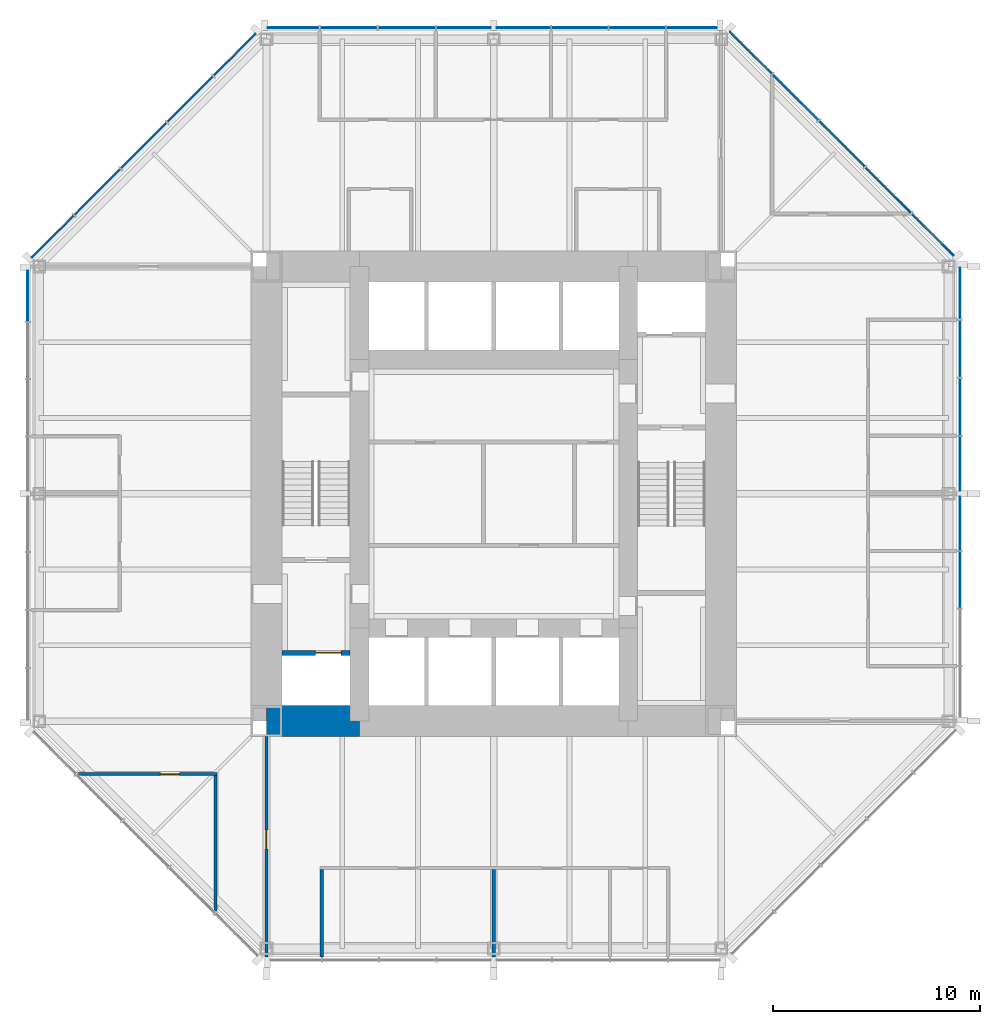
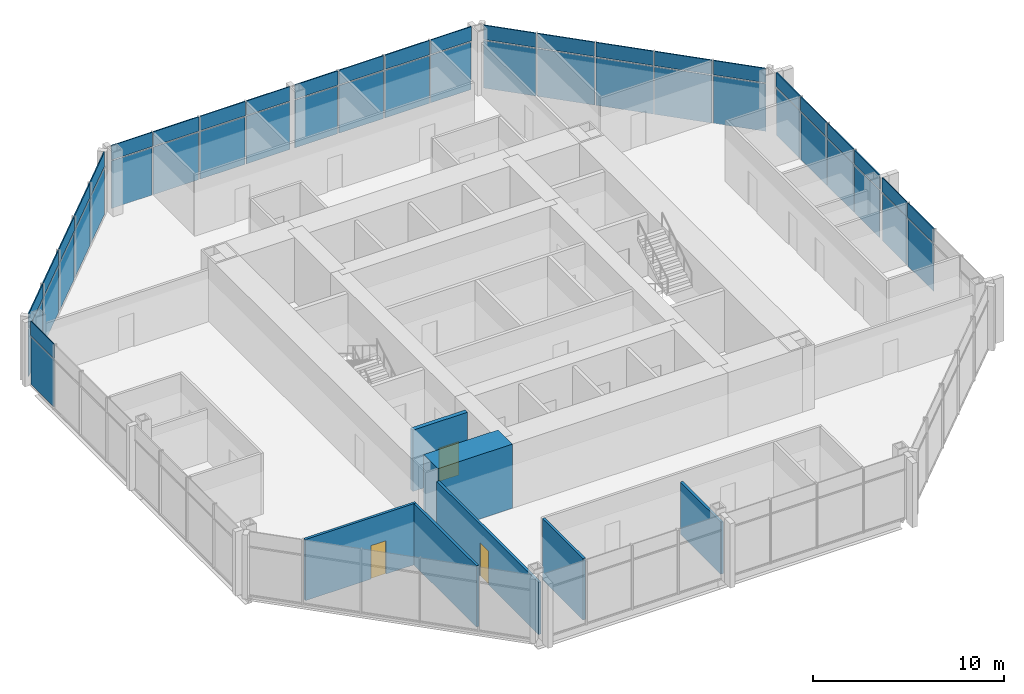
# One storey, part 8 of 12: 50 plates, 7 walls, 3 doors, 3 openings, 5 elements without a shape of their own.
"""IFC4 building model written with IfcOpenShell, lengths in metres."""

from ifc_helpers import new_model, si_unit, direction, frame, frame_2d, origin, origin_2d, place, context, subcontext, project, spatial, rectangle, extrude, material, layer, layer_set, type_object, element, fill, aggregate, save


model = new_model("IFC4")

# Units and contexts
model_context = context("Model", 3, precision=1e-05, world=origin(), true_north=direction((0.0, 1.0)))
body_context = subcontext(model_context, "Body", "Model", "MODEL_VIEW")
ifc_project = project(units=[si_unit("LENGTHUNIT", "METRE"), si_unit("AREAUNIT", "SQUARE_METRE"), si_unit("VOLUMEUNIT", "CUBIC_METRE"), si_unit("PLANEANGLEUNIT", "RADIAN"), si_unit("MASSUNIT", "GRAM", prefix="KILO")], contexts=[model_context])

# Site, building, storey
site_placement = place(None, origin())
site = spatial("IfcSite", under=ifc_project, at=site_placement, CompositionType="ELEMENT")
building_placement = place(site_placement, origin())
building = spatial("IfcBuilding", under=site, at=building_placement, Name="Trevanion Tower", CompositionType="ELEMENT")
storey_placement = place(building_placement, frame((0.0, 0.0, 158.199951171875)))
storey = spatial("IfcBuildingStorey", under=building, at=storey_placement, Name="L37", CompositionType="ELEMENT", Elevation=158.199951171875)

# Curtain wall, plates
ifc_material_1 = material(Name="Aluminium and glass", Category="aluminium")
curtain_wall_type = type_object("IfcCurtainWallType", Name="CW2 curtain wall", PredefinedType="USERDEFINED", material=ifc_material_1)
curtain_wall_1_placement = place(storey_placement, origin())
curtain_wall_1 = element("IfcCurtainWall", 1, at=curtain_wall_1_placement, inside=storey, type_object=curtain_wall_type, Name="CW2 L37 0", ObjectType="UNITISED CURTAIN WALL", PredefinedType="USERDEFINED")
ifc_material_2 = material(Name="Aluminium spandrel panel", Category="aluminium")
ifc_layer_1 = layer(ifc_material_2, 0.06005859375)
ifc_layer_set_1 = layer_set([ifc_layer_1], Name="CW2 spandrel panel")
plate_type_1 = type_object("IfcPlateType", Name="CW2 spandrel panel", PredefinedType="CURTAIN_PANEL", material=ifc_layer_set_1)
plate_1_placement = place(storey_placement, frame((22.550048828125, -4.16162109375, 2.99755859375), z_axis=(0.0, 0.0, 1.0), x_axis=(0.0, 1.0, 0.0)))
plate_1 = element("IfcPlate", 2, at=plate_1_placement, type_object=plate_type_1, Name="CW2 panel 3.2", PredefinedType="CURTAIN_PANEL", context=body_context, shape_type="SweptSolid", body=[
    extrude(rectangle(XDim=2.699462890625, YDim=0.06005859375, at=origin_2d()), origin(), (0.0, 0.0, 1.0), 0.91259765625),
])
plate_2_placement = place(storey_placement, frame((22.550048828125, -1.443603515625, 2.99755859375), z_axis=(0.0, 0.0, 1.0), x_axis=(0.0, 1.0, 0.0)))
plate_2 = element("IfcPlate", 3, at=plate_2_placement, type_object=plate_type_1, Name="CW2 panel 4.2", PredefinedType="CURTAIN_PANEL", context=body_context, shape_type="SweptSolid", body=[
    extrude(rectangle(XDim=2.5869140625, YDim=0.06005859375, at=origin_2d()), origin(), (0.0, 0.0, 1.0), 0.91259765625),
])
plate_3_placement = place(storey_placement, frame((22.550048828125, 1.459716796875, 2.99755859375), z_axis=(0.0, 0.0, 1.0), x_axis=(0.0, 1.0, 0.0)))
plate_3 = element("IfcPlate", 4, at=plate_3_placement, type_object=plate_type_1, Name="CW2 panel 5.2", PredefinedType="CURTAIN_PANEL", context=body_context, shape_type="SweptSolid", body=[
    extrude(rectangle(XDim=2.619384765625, YDim=0.06005859375, at=origin_2d()), origin(), (0.0, 0.0, 1.0), 0.91259765625),
])
plate_4_placement = place(storey_placement, frame((22.550048828125, 4.21044921875, 2.99755859375), z_axis=(0.0, 0.0, 1.0), x_axis=(0.0, 1.0, 0.0)))
plate_4 = element("IfcPlate", 5, at=plate_4_placement, type_object=plate_type_1, Name="CW2 panel 6.2", PredefinedType="CURTAIN_PANEL", context=body_context, shape_type="SweptSolid", body=[
    extrude(rectangle(XDim=2.73193359375, YDim=0.06005859375, at=origin_2d()), origin(), (0.0, 0.0, 1.0), 0.91259765625),
])
plate_5_placement = place(storey_placement, frame((22.550048828125, 7.017333984375, 2.99755859375), z_axis=(0.0, 0.0, 1.0), x_axis=(0.0, 1.0, 0.0)))
plate_5 = element("IfcPlate", 6, at=plate_5_placement, type_object=plate_type_1, Name="CW2 panel 7.2", PredefinedType="CURTAIN_PANEL", context=body_context, shape_type="SweptSolid", body=[
    extrude(rectangle(XDim=2.73193359375, YDim=0.06005859375, at=origin_2d()), origin(), (0.0, 0.0, 1.0), 0.91259765625),
])
plate_6_placement = place(storey_placement, frame((22.550048828125, 9.693115234375, 2.99755859375), z_axis=(0.0, 0.0, 1.0), x_axis=(0.0, 1.0, 0.0)))
plate_6 = element("IfcPlate", 7, at=plate_6_placement, type_object=plate_type_1, Name="CW2 panel 8.2", PredefinedType="CURTAIN_PANEL", context=body_context, shape_type="SweptSolid", body=[
    extrude(rectangle(XDim=2.469482421875, YDim=0.06005859375, at=origin_2d()), origin(), (0.0, 0.0, 1.0), 0.91259765625),
])

curtain_wall_2_placement = place(storey_placement, origin())
curtain_wall_2 = element("IfcCurtainWall", 8, at=curtain_wall_2_placement, inside=storey, type_object=curtain_wall_type, Name="CW2 L37 1", ObjectType="UNITISED CURTAIN WALL", PredefinedType="USERDEFINED")
plate_7_placement = place(storey_placement, frame((21.2421875, 12.53564453125, 2.99755859375), z_axis=(0.0, 0.0, 1.0), x_axis=(-0.707106781187, 0.707106781187, 0.0)))
plate_7 = element("IfcPlate", 9, at=plate_7_placement, type_object=plate_type_1, Name="CW2 panel 1.2", PredefinedType="CURTAIN_PANEL", context=body_context, shape_type="SweptSolid", body=[
    extrude(rectangle(XDim=2.8388671875, YDim=0.06005859375, at=origin_2d()), origin(), (0.0, 0.0, 1.0), 0.91259765625),
])
plate_8_placement = place(storey_placement, frame((19.089111328125, 14.688720703125, 2.99755859375), z_axis=(0.0, 0.0, 1.0), x_axis=(-0.707106781187, 0.707106781187, 0.0)))
plate_8 = element("IfcPlate", 10, at=plate_8_placement, type_object=plate_type_1, Name="CW2 panel 2.2", PredefinedType="CURTAIN_PANEL", context=body_context, shape_type="SweptSolid", body=[
    extrude(rectangle(XDim=3.101318359375, YDim=0.06005859375, at=origin_2d()), origin(), (0.0, 0.0, 1.0), 0.91259765625),
])
plate_9_placement = place(storey_placement, frame((16.843017578125, 16.934814453125, 2.99755859375), z_axis=(0.0, 0.0, 1.0), x_axis=(-0.707106781187, 0.707106781187, 0.0)))
plate_9 = element("IfcPlate", 11, at=plate_9_placement, type_object=plate_type_1, Name="CW2 panel 3.2", PredefinedType="CURTAIN_PANEL", context=body_context, shape_type="SweptSolid", body=[
    extrude(rectangle(XDim=3.101318359375, YDim=0.06005859375, at=origin_2d()), origin(), (0.0, 0.0, 1.0), 0.91259765625),
])
plate_10_placement = place(storey_placement, frame((14.596923828125, 19.180908203125, 2.99755859375), z_axis=(0.0, 0.0, 1.0), x_axis=(-0.707106781187, 0.707106781187, 0.0)))
plate_10 = element("IfcPlate", 12, at=plate_10_placement, type_object=plate_type_1, Name="CW2 panel 4.2", PredefinedType="CURTAIN_PANEL", context=body_context, shape_type="SweptSolid", body=[
    extrude(rectangle(XDim=3.101318359375, YDim=0.06005859375, at=origin_2d()), origin(), (0.0, 0.0, 1.0), 0.91259765625),
])
plate_11_placement = place(storey_placement, frame((12.443603515625, 21.334228515625, 2.99755859375), z_axis=(0.0, 0.0, 1.0), x_axis=(-0.707106781187, 0.707106781187, 0.0)))
plate_11 = element("IfcPlate", 13, at=plate_11_placement, type_object=plate_type_1, Name="CW2 panel 5.2", PredefinedType="CURTAIN_PANEL", context=body_context, shape_type="SweptSolid", body=[
    extrude(rectangle(XDim=2.8388671875, YDim=0.06005859375, at=origin_2d()), origin(), (0.0, 0.0, 1.0), 0.91259765625),
])

curtain_wall_3_placement = place(storey_placement, origin())
curtain_wall_3 = element("IfcCurtainWall", 14, at=curtain_wall_3_placement, inside=storey, type_object=curtain_wall_type, Name="CW2 L37 2", ObjectType="UNITISED CURTAIN WALL", PredefinedType="USERDEFINED")
plate_12_placement = place(storey_placement, frame((9.579345703125, 22.550048828125, 2.99755859375), z_axis=(0.0, 0.0, 1.0), x_axis=(-1.0, 0.0, 0.0)))
plate_12 = element("IfcPlate", 15, at=plate_12_placement, type_object=plate_type_1, Name="CW2 panel 1.2", PredefinedType="CURTAIN_PANEL", context=body_context, shape_type="SweptSolid", body=[
    extrude(rectangle(XDim=2.43701171875, YDim=0.06005859375, at=origin_2d()), origin(), (0.0, 0.0, 1.0), 0.91259765625),
])
plate_13_placement = place(storey_placement, frame((6.93603515625, 22.550048828125, 2.99755859375), z_axis=(0.0, 0.0, 1.0), x_axis=(-1.0, 0.0, 0.0)))
plate_13 = element("IfcPlate", 16, at=plate_13_placement, type_object=plate_type_1, Name="CW2 panel 2.2", PredefinedType="CURTAIN_PANEL", context=body_context, shape_type="SweptSolid", body=[
    extrude(rectangle(XDim=2.699462890625, YDim=0.06005859375, at=origin_2d()), origin(), (0.0, 0.0, 1.0), 0.91259765625),
])
plate_14_placement = place(storey_placement, frame((4.16162109375, 22.550048828125, 2.99755859375), z_axis=(0.0, 0.0, 1.0), x_axis=(-1.0, 0.0, 0.0)))
plate_14 = element("IfcPlate", 17, at=plate_14_placement, type_object=plate_type_1, Name="CW2 panel 3.2", PredefinedType="CURTAIN_PANEL", context=body_context, shape_type="SweptSolid", body=[
    extrude(rectangle(XDim=2.699462890625, YDim=0.06005859375, at=origin_2d()), origin(), (0.0, 0.0, 1.0), 0.91259765625),
])
plate_15_placement = place(storey_placement, frame((1.443603515625, 22.550048828125, 2.99755859375), z_axis=(0.0, 0.0, 1.0), x_axis=(-1.0, 0.0, 0.0)))
plate_15 = element("IfcPlate", 18, at=plate_15_placement, type_object=plate_type_1, Name="CW2 panel 4.2", PredefinedType="CURTAIN_PANEL", context=body_context, shape_type="SweptSolid", body=[
    extrude(rectangle(XDim=2.5869140625, YDim=0.06005859375, at=origin_2d()), origin(), (0.0, 0.0, 1.0), 0.91259765625),
])
plate_16_placement = place(storey_placement, frame((-1.459716796875, 22.550048828125, 2.99755859375), z_axis=(0.0, 0.0, 1.0), x_axis=(-1.0, 0.0, 0.0)))
plate_16 = element("IfcPlate", 19, at=plate_16_placement, type_object=plate_type_1, Name="CW2 panel 5.2", PredefinedType="CURTAIN_PANEL", context=body_context, shape_type="SweptSolid", body=[
    extrude(rectangle(XDim=2.619384765625, YDim=0.06005859375, at=origin_2d()), origin(), (0.0, 0.0, 1.0), 0.91259765625),
])
plate_17_placement = place(storey_placement, frame((-4.21044921875, 22.550048828125, 2.99755859375), z_axis=(0.0, 0.0, 1.0), x_axis=(-1.0, 0.0, 0.0)))
plate_17 = element("IfcPlate", 20, at=plate_17_placement, type_object=plate_type_1, Name="CW2 panel 6.2", PredefinedType="CURTAIN_PANEL", context=body_context, shape_type="SweptSolid", body=[
    extrude(rectangle(XDim=2.73193359375, YDim=0.06005859375, at=origin_2d()), origin(), (0.0, 0.0, 1.0), 0.91259765625),
])
plate_18_placement = place(storey_placement, frame((-7.017333984375, 22.550048828125, 2.99755859375), z_axis=(0.0, 0.0, 1.0), x_axis=(-1.0, 0.0, 0.0)))
plate_18 = element("IfcPlate", 21, at=plate_18_placement, type_object=plate_type_1, Name="CW2 panel 7.2", PredefinedType="CURTAIN_PANEL", context=body_context, shape_type="SweptSolid", body=[
    extrude(rectangle(XDim=2.73193359375, YDim=0.06005859375, at=origin_2d()), origin(), (0.0, 0.0, 1.0), 0.91259765625),
])
plate_19_placement = place(storey_placement, frame((-9.693115234375, 22.550048828125, 2.99755859375), z_axis=(0.0, 0.0, 1.0), x_axis=(-1.0, 0.0, 0.0)))
plate_19 = element("IfcPlate", 22, at=plate_19_placement, type_object=plate_type_1, Name="CW2 panel 8.2", PredefinedType="CURTAIN_PANEL", context=body_context, shape_type="SweptSolid", body=[
    extrude(rectangle(XDim=2.469482421875, YDim=0.06005859375, at=origin_2d()), origin(), (0.0, 0.0, 1.0), 0.91259765625),
])

curtain_wall_4_placement = place(storey_placement, origin())
curtain_wall_4 = element("IfcCurtainWall", 23, at=curtain_wall_4_placement, inside=storey, type_object=curtain_wall_type, Name="CW2 L37 3", ObjectType="UNITISED CURTAIN WALL", PredefinedType="USERDEFINED")
plate_20_placement = place(storey_placement, frame((-12.53564453125, 21.2421875, 2.99755859375), z_axis=(0.0, 0.0, 1.0), x_axis=(-0.707106781187, -0.707106781187, 0.0)))
plate_20 = element("IfcPlate", 24, at=plate_20_placement, type_object=plate_type_1, Name="CW2 panel 1.2", PredefinedType="CURTAIN_PANEL", context=body_context, shape_type="SweptSolid", body=[
    extrude(rectangle(XDim=2.8388671875, YDim=0.06005859375, at=origin_2d()), origin(), (0.0, 0.0, 1.0), 0.91259765625),
])
plate_21_placement = place(storey_placement, frame((-14.688720703125, 19.089111328125, 2.99755859375), z_axis=(0.0, 0.0, 1.0), x_axis=(-0.707106781187, -0.707106781187, 0.0)))
plate_21 = element("IfcPlate", 25, at=plate_21_placement, type_object=plate_type_1, Name="CW2 panel 2.2", PredefinedType="CURTAIN_PANEL", context=body_context, shape_type="SweptSolid", body=[
    extrude(rectangle(XDim=3.101318359375, YDim=0.06005859375, at=origin_2d()), origin(), (0.0, 0.0, 1.0), 0.91259765625),
])
plate_22_placement = place(storey_placement, frame((-16.934814453125, 16.843017578125, 2.99755859375), z_axis=(0.0, 0.0, 1.0), x_axis=(-0.707106781187, -0.707106781187, 0.0)))
plate_22 = element("IfcPlate", 26, at=plate_22_placement, type_object=plate_type_1, Name="CW2 panel 3.2", PredefinedType="CURTAIN_PANEL", context=body_context, shape_type="SweptSolid", body=[
    extrude(rectangle(XDim=3.101318359375, YDim=0.06005859375, at=origin_2d()), origin(), (0.0, 0.0, 1.0), 0.91259765625),
])
plate_23_placement = place(storey_placement, frame((-19.180908203125, 14.596923828125, 2.99755859375), z_axis=(0.0, 0.0, 1.0), x_axis=(-0.707106781187, -0.707106781187, 0.0)))
plate_23 = element("IfcPlate", 27, at=plate_23_placement, type_object=plate_type_1, Name="CW2 panel 4.2", PredefinedType="CURTAIN_PANEL", context=body_context, shape_type="SweptSolid", body=[
    extrude(rectangle(XDim=3.101318359375, YDim=0.06005859375, at=origin_2d()), origin(), (0.0, 0.0, 1.0), 0.91259765625),
])
plate_24_placement = place(storey_placement, frame((-21.334228515625, 12.443603515625, 2.99755859375), z_axis=(0.0, 0.0, 1.0), x_axis=(-0.707106781187, -0.707106781187, 0.0)))
plate_24 = element("IfcPlate", 28, at=plate_24_placement, type_object=plate_type_1, Name="CW2 panel 5.2", PredefinedType="CURTAIN_PANEL", context=body_context, shape_type="SweptSolid", body=[
    extrude(rectangle(XDim=2.8388671875, YDim=0.06005859375, at=origin_2d()), origin(), (0.0, 0.0, 1.0), 0.91259765625),
])

# Curtain wall, plate
curtain_wall_5_placement = place(storey_placement, origin())
curtain_wall_5 = element("IfcCurtainWall", 29, at=curtain_wall_5_placement, inside=storey, type_object=curtain_wall_type, Name="CW2 L37 4", ObjectType="UNITISED CURTAIN WALL", PredefinedType="USERDEFINED")
plate_25_placement = place(storey_placement, frame((-22.550048828125, 9.579345703125, 2.99755859375), z_axis=(0.0, 0.0, 1.0), x_axis=(0.0, -1.0, 0.0)))
plate_25 = element("IfcPlate", 30, at=plate_25_placement, type_object=plate_type_1, Name="CW2 panel 1.2", PredefinedType="CURTAIN_PANEL", context=body_context, shape_type="SweptSolid", body=[
    extrude(rectangle(XDim=2.43701171875, YDim=0.06005859375, at=origin_2d()), origin(), (0.0, 0.0, 1.0), 0.91259765625),
])

# Plate
ifc_material_3 = material(Name="Insulating glass unit", Category="glass")
ifc_layer_2 = layer(ifc_material_3, 0.028076171875)
ifc_layer_set_2 = layer_set([ifc_layer_2], Name="CW2 vision panel")
plate_type_2 = type_object("IfcPlateType", Name="CW2 vision panel", PredefinedType="CURTAIN_PANEL", material=ifc_layer_set_2)
plate_26_placement = place(storey_placement, frame((22.550048828125, -4.16162109375, -0.114990234375), z_axis=(0.0, 0.0, 1.0), x_axis=(0.0, 1.0, 0.0)))
plate_26 = element("IfcPlate", 31, at=plate_26_placement, type_object=plate_type_2, Name="CW2 panel 3.1", PredefinedType="CURTAIN_PANEL", context=body_context, shape_type="SweptSolid", body=[
    extrude(rectangle(XDim=2.699462890625, YDim=0.028076171875, at=origin_2d()), origin(), (0.0, 0.0, 1.0), 3.03759765625),
])

plate_27_placement = place(storey_placement, frame((22.550048828125, -1.443603515625, -0.114990234375), z_axis=(0.0, 0.0, 1.0), x_axis=(0.0, 1.0, 0.0)))
plate_27 = element("IfcPlate", 32, at=plate_27_placement, type_object=plate_type_2, Name="CW2 panel 4.1", PredefinedType="CURTAIN_PANEL", context=body_context, shape_type="SweptSolid", body=[
    extrude(rectangle(XDim=2.5869140625, YDim=0.028076171875, at=origin_2d()), origin(), (0.0, 0.0, 1.0), 3.03759765625),
])

plate_28_placement = place(storey_placement, frame((22.550048828125, 1.459716796875, -0.114990234375), z_axis=(0.0, 0.0, 1.0), x_axis=(0.0, 1.0, 0.0)))
plate_28 = element("IfcPlate", 33, at=plate_28_placement, type_object=plate_type_2, Name="CW2 panel 5.1", PredefinedType="CURTAIN_PANEL", context=body_context, shape_type="SweptSolid", body=[
    extrude(rectangle(XDim=2.619384765625, YDim=0.028076171875, at=origin_2d()), origin(), (0.0, 0.0, 1.0), 3.03759765625),
])

plate_29_placement = place(storey_placement, frame((22.550048828125, 4.21044921875, -0.114990234375), z_axis=(0.0, 0.0, 1.0), x_axis=(0.0, 1.0, 0.0)))
plate_29 = element("IfcPlate", 34, at=plate_29_placement, type_object=plate_type_2, Name="CW2 panel 6.1", PredefinedType="CURTAIN_PANEL", context=body_context, shape_type="SweptSolid", body=[
    extrude(rectangle(XDim=2.73193359375, YDim=0.028076171875, at=origin_2d()), origin(), (0.0, 0.0, 1.0), 3.03759765625),
])

plate_30_placement = place(storey_placement, frame((22.550048828125, 7.017333984375, -0.114990234375), z_axis=(0.0, 0.0, 1.0), x_axis=(0.0, 1.0, 0.0)))
plate_30 = element("IfcPlate", 35, at=plate_30_placement, type_object=plate_type_2, Name="CW2 panel 7.1", PredefinedType="CURTAIN_PANEL", context=body_context, shape_type="SweptSolid", body=[
    extrude(rectangle(XDim=2.73193359375, YDim=0.028076171875, at=origin_2d()), origin(), (0.0, 0.0, 1.0), 3.03759765625),
])

plate_31_placement = place(storey_placement, frame((22.550048828125, 9.693115234375, -0.114990234375), z_axis=(0.0, 0.0, 1.0), x_axis=(0.0, 1.0, 0.0)))
plate_31 = element("IfcPlate", 36, at=plate_31_placement, type_object=plate_type_2, Name="CW2 panel 8.1", PredefinedType="CURTAIN_PANEL", context=body_context, shape_type="SweptSolid", body=[
    extrude(rectangle(XDim=2.469482421875, YDim=0.028076171875, at=origin_2d()), origin(), (0.0, 0.0, 1.0), 3.03759765625),
])

aggregate(curtain_wall_1, [plate_26, plate_1, plate_27, plate_2, plate_28, plate_3, plate_29, plate_4, plate_30, plate_5, plate_31, plate_6])

plate_32_placement = place(storey_placement, frame((21.2421875, 12.53564453125, -0.114990234375), z_axis=(0.0, 0.0, 1.0), x_axis=(-0.707106781187, 0.707106781187, 0.0)))
plate_32 = element("IfcPlate", 37, at=plate_32_placement, type_object=plate_type_2, Name="CW2 panel 1.1", PredefinedType="CURTAIN_PANEL", context=body_context, shape_type="SweptSolid", body=[
    extrude(rectangle(XDim=2.8388671875, YDim=0.028076171875, at=origin_2d()), origin(), (0.0, 0.0, 1.0), 3.03759765625),
])

plate_33_placement = place(storey_placement, frame((19.089111328125, 14.688720703125, -0.114990234375), z_axis=(0.0, 0.0, 1.0), x_axis=(-0.707106781187, 0.707106781187, 0.0)))
plate_33 = element("IfcPlate", 38, at=plate_33_placement, type_object=plate_type_2, Name="CW2 panel 2.1", PredefinedType="CURTAIN_PANEL", context=body_context, shape_type="SweptSolid", body=[
    extrude(rectangle(XDim=3.101318359375, YDim=0.028076171875, at=origin_2d()), origin(), (0.0, 0.0, 1.0), 3.03759765625),
])

plate_34_placement = place(storey_placement, frame((16.843017578125, 16.934814453125, -0.114990234375), z_axis=(0.0, 0.0, 1.0), x_axis=(-0.707106781187, 0.707106781187, 0.0)))
plate_34 = element("IfcPlate", 39, at=plate_34_placement, type_object=plate_type_2, Name="CW2 panel 3.1", PredefinedType="CURTAIN_PANEL", context=body_context, shape_type="SweptSolid", body=[
    extrude(rectangle(XDim=3.101318359375, YDim=0.028076171875, at=origin_2d()), origin(), (0.0, 0.0, 1.0), 3.03759765625),
])

plate_35_placement = place(storey_placement, frame((14.596923828125, 19.180908203125, -0.114990234375), z_axis=(0.0, 0.0, 1.0), x_axis=(-0.707106781187, 0.707106781187, 0.0)))
plate_35 = element("IfcPlate", 40, at=plate_35_placement, type_object=plate_type_2, Name="CW2 panel 4.1", PredefinedType="CURTAIN_PANEL", context=body_context, shape_type="SweptSolid", body=[
    extrude(rectangle(XDim=3.101318359375, YDim=0.028076171875, at=origin_2d()), origin(), (0.0, 0.0, 1.0), 3.03759765625),
])

plate_36_placement = place(storey_placement, frame((12.443603515625, 21.334228515625, -0.114990234375), z_axis=(0.0, 0.0, 1.0), x_axis=(-0.707106781187, 0.707106781187, 0.0)))
plate_36 = element("IfcPlate", 41, at=plate_36_placement, type_object=plate_type_2, Name="CW2 panel 5.1", PredefinedType="CURTAIN_PANEL", context=body_context, shape_type="SweptSolid", body=[
    extrude(rectangle(XDim=2.8388671875, YDim=0.028076171875, at=origin_2d()), origin(), (0.0, 0.0, 1.0), 3.03759765625),
])

aggregate(curtain_wall_2, [plate_32, plate_7, plate_33, plate_8, plate_34, plate_9, plate_35, plate_10, plate_36, plate_11])

plate_37_placement = place(storey_placement, frame((9.579345703125, 22.550048828125, -0.114990234375), z_axis=(0.0, 0.0, 1.0), x_axis=(-1.0, 0.0, 0.0)))
plate_37 = element("IfcPlate", 42, at=plate_37_placement, type_object=plate_type_2, Name="CW2 panel 1.1", PredefinedType="CURTAIN_PANEL", context=body_context, shape_type="SweptSolid", body=[
    extrude(rectangle(XDim=2.43701171875, YDim=0.028076171875, at=origin_2d()), origin(), (0.0, 0.0, 1.0), 3.03759765625),
])

plate_38_placement = place(storey_placement, frame((6.93603515625, 22.550048828125, -0.114990234375), z_axis=(0.0, 0.0, 1.0), x_axis=(-1.0, 0.0, 0.0)))
plate_38 = element("IfcPlate", 43, at=plate_38_placement, type_object=plate_type_2, Name="CW2 panel 2.1", PredefinedType="CURTAIN_PANEL", context=body_context, shape_type="SweptSolid", body=[
    extrude(rectangle(XDim=2.699462890625, YDim=0.028076171875, at=origin_2d()), origin(), (0.0, 0.0, 1.0), 3.03759765625),
])

plate_39_placement = place(storey_placement, frame((4.16162109375, 22.550048828125, -0.114990234375), z_axis=(0.0, 0.0, 1.0), x_axis=(-1.0, 0.0, 0.0)))
plate_39 = element("IfcPlate", 44, at=plate_39_placement, type_object=plate_type_2, Name="CW2 panel 3.1", PredefinedType="CURTAIN_PANEL", context=body_context, shape_type="SweptSolid", body=[
    extrude(rectangle(XDim=2.699462890625, YDim=0.028076171875, at=origin_2d()), origin(), (0.0, 0.0, 1.0), 3.03759765625),
])

plate_40_placement = place(storey_placement, frame((1.443603515625, 22.550048828125, -0.114990234375), z_axis=(0.0, 0.0, 1.0), x_axis=(-1.0, 0.0, 0.0)))
plate_40 = element("IfcPlate", 45, at=plate_40_placement, type_object=plate_type_2, Name="CW2 panel 4.1", PredefinedType="CURTAIN_PANEL", context=body_context, shape_type="SweptSolid", body=[
    extrude(rectangle(XDim=2.5869140625, YDim=0.028076171875, at=origin_2d()), origin(), (0.0, 0.0, 1.0), 3.03759765625),
])

plate_41_placement = place(storey_placement, frame((-1.459716796875, 22.550048828125, -0.114990234375), z_axis=(0.0, 0.0, 1.0), x_axis=(-1.0, 0.0, 0.0)))
plate_41 = element("IfcPlate", 46, at=plate_41_placement, type_object=plate_type_2, Name="CW2 panel 5.1", PredefinedType="CURTAIN_PANEL", context=body_context, shape_type="SweptSolid", body=[
    extrude(rectangle(XDim=2.619384765625, YDim=0.028076171875, at=origin_2d()), origin(), (0.0, 0.0, 1.0), 3.03759765625),
])

plate_42_placement = place(storey_placement, frame((-4.21044921875, 22.550048828125, -0.114990234375), z_axis=(0.0, 0.0, 1.0), x_axis=(-1.0, 0.0, 0.0)))
plate_42 = element("IfcPlate", 47, at=plate_42_placement, type_object=plate_type_2, Name="CW2 panel 6.1", PredefinedType="CURTAIN_PANEL", context=body_context, shape_type="SweptSolid", body=[
    extrude(rectangle(XDim=2.73193359375, YDim=0.028076171875, at=origin_2d()), origin(), (0.0, 0.0, 1.0), 3.03759765625),
])

plate_43_placement = place(storey_placement, frame((-7.017333984375, 22.550048828125, -0.114990234375), z_axis=(0.0, 0.0, 1.0), x_axis=(-1.0, 0.0, 0.0)))
plate_43 = element("IfcPlate", 48, at=plate_43_placement, type_object=plate_type_2, Name="CW2 panel 7.1", PredefinedType="CURTAIN_PANEL", context=body_context, shape_type="SweptSolid", body=[
    extrude(rectangle(XDim=2.73193359375, YDim=0.028076171875, at=origin_2d()), origin(), (0.0, 0.0, 1.0), 3.03759765625),
])

plate_44_placement = place(storey_placement, frame((-9.693115234375, 22.550048828125, -0.114990234375), z_axis=(0.0, 0.0, 1.0), x_axis=(-1.0, 0.0, 0.0)))
plate_44 = element("IfcPlate", 49, at=plate_44_placement, type_object=plate_type_2, Name="CW2 panel 8.1", PredefinedType="CURTAIN_PANEL", context=body_context, shape_type="SweptSolid", body=[
    extrude(rectangle(XDim=2.469482421875, YDim=0.028076171875, at=origin_2d()), origin(), (0.0, 0.0, 1.0), 3.03759765625),
])

aggregate(curtain_wall_3, [plate_37, plate_12, plate_38, plate_13, plate_39, plate_14, plate_40, plate_15, plate_41, plate_16, plate_42, plate_17, plate_43, plate_18, plate_44, plate_19])

plate_45_placement = place(storey_placement, frame((-12.53564453125, 21.2421875, -0.114990234375), z_axis=(0.0, 0.0, 1.0), x_axis=(-0.707106781187, -0.707106781187, 0.0)))
plate_45 = element("IfcPlate", 50, at=plate_45_placement, type_object=plate_type_2, Name="CW2 panel 1.1", PredefinedType="CURTAIN_PANEL", context=body_context, shape_type="SweptSolid", body=[
    extrude(rectangle(XDim=2.8388671875, YDim=0.028076171875, at=origin_2d()), origin(), (0.0, 0.0, 1.0), 3.03759765625),
])

plate_46_placement = place(storey_placement, frame((-14.688720703125, 19.089111328125, -0.114990234375), z_axis=(0.0, 0.0, 1.0), x_axis=(-0.707106781187, -0.707106781187, 0.0)))
plate_46 = element("IfcPlate", 51, at=plate_46_placement, type_object=plate_type_2, Name="CW2 panel 2.1", PredefinedType="CURTAIN_PANEL", context=body_context, shape_type="SweptSolid", body=[
    extrude(rectangle(XDim=3.101318359375, YDim=0.028076171875, at=origin_2d()), origin(), (0.0, 0.0, 1.0), 3.03759765625),
])

plate_47_placement = place(storey_placement, frame((-16.934814453125, 16.843017578125, -0.114990234375), z_axis=(0.0, 0.0, 1.0), x_axis=(-0.707106781187, -0.707106781187, 0.0)))
plate_47 = element("IfcPlate", 52, at=plate_47_placement, type_object=plate_type_2, Name="CW2 panel 3.1", PredefinedType="CURTAIN_PANEL", context=body_context, shape_type="SweptSolid", body=[
    extrude(rectangle(XDim=3.101318359375, YDim=0.028076171875, at=origin_2d()), origin(), (0.0, 0.0, 1.0), 3.03759765625),
])

plate_48_placement = place(storey_placement, frame((-19.180908203125, 14.596923828125, -0.114990234375), z_axis=(0.0, 0.0, 1.0), x_axis=(-0.707106781187, -0.707106781187, 0.0)))
plate_48 = element("IfcPlate", 53, at=plate_48_placement, type_object=plate_type_2, Name="CW2 panel 4.1", PredefinedType="CURTAIN_PANEL", context=body_context, shape_type="SweptSolid", body=[
    extrude(rectangle(XDim=3.101318359375, YDim=0.028076171875, at=origin_2d()), origin(), (0.0, 0.0, 1.0), 3.03759765625),
])

plate_49_placement = place(storey_placement, frame((-21.334228515625, 12.443603515625, -0.114990234375), z_axis=(0.0, 0.0, 1.0), x_axis=(-0.707106781187, -0.707106781187, 0.0)))
plate_49 = element("IfcPlate", 54, at=plate_49_placement, type_object=plate_type_2, Name="CW2 panel 5.1", PredefinedType="CURTAIN_PANEL", context=body_context, shape_type="SweptSolid", body=[
    extrude(rectangle(XDim=2.8388671875, YDim=0.028076171875, at=origin_2d()), origin(), (0.0, 0.0, 1.0), 3.03759765625),
])

aggregate(curtain_wall_4, [plate_45, plate_20, plate_46, plate_21, plate_47, plate_22, plate_48, plate_23, plate_49, plate_24])

plate_50_placement = place(storey_placement, frame((-22.550048828125, 9.579345703125, -0.114990234375), z_axis=(0.0, 0.0, 1.0), x_axis=(0.0, -1.0, 0.0)))
plate_50 = element("IfcPlate", 55, at=plate_50_placement, type_object=plate_type_2, Name="CW2 panel 1.1", PredefinedType="CURTAIN_PANEL", context=body_context, shape_type="SweptSolid", body=[
    extrude(rectangle(XDim=2.43701171875, YDim=0.028076171875, at=origin_2d()), origin(), (0.0, 0.0, 1.0), 3.03759765625),
])

aggregate(curtain_wall_5, [plate_50, plate_25])

# Wall
ifc_material_4 = material(Name="Concrete 10,000 psi", Category="concrete")
ifc_layer_3 = layer(ifc_material_4, 1.5)
ifc_layer_set_3 = layer_set([ifc_layer_3], Name="CW1 core wall 1500")
wall_type_1 = type_object("IfcWallType", Name="CW1 core wall 1500", PredefinedType="SHEAR", material=ifc_layer_set_3)
wall_1_placement = place(storey_placement, frame((-11.0, -11.0, 0.0), z_axis=(0.0, 0.0, 1.0), x_axis=(1.0, 0.0, 0.0)))
element("IfcWall", 56, at=wall_1_placement, inside=storey, type_object=wall_type_1, Name="CW1 CS1 L37", PredefinedType="SHEAR", context=body_context, shape_type="SweptSolid", body=[
    extrude(rectangle(XDim=4.5, YDim=1.5, at=frame_2d((2.25, 0.0))), origin(), (0.0, 0.0, 1.0), 4.10009765625),
])

# Wall, opening, door
ifc_material_5 = material(Name="Gypsum board on steel studs", Category="steel")
ifc_layer_4 = layer(ifc_material_5, 0.14990234375)
ifc_layer_set_4 = layer_set([ifc_layer_4], Name="PT1 partition 150")
wall_type_2 = type_object("IfcWallType", Name="PT1 partition 150", PredefinedType="PARTITIONING", material=ifc_layer_set_4)
wall_2_placement = place(storey_placement, frame((-11.0, -11.75, 0.0), z_axis=(0.0, 0.0, 1.0), x_axis=(0.0, -1.0, 0.0)))
wall_2 = element("IfcWall", 57, at=wall_2_placement, inside=storey, type_object=wall_type_2, Name="PT1 L37 ZW2", PredefinedType="PARTITIONING", context=body_context, shape_type="SweptSolid", body=[
    extrude(rectangle(XDim=10.6650390625, YDim=0.14990234375, at=frame_2d((5.33251953125, 0.0))), origin(), (0.0, 0.0, 1.0), 3.325927734375),
])
opening_1_placement = place(wall_2_placement, frame((4.517578125, 0.0, 0.0)))
opening_1 = element("IfcOpeningElement", 58, at=opening_1_placement, cuts=wall_2, Name="Opening 37-020", PredefinedType="OPENING", context=body_context, shape_type="SweptSolid", body=[
    extrude(rectangle(XDim=0.9150390625, YDim=2.134033203125, at=frame_2d((0.45751953125, 1.06689453125))), frame((0.0, 0.0849609375, 0.0), z_axis=(0.0, -1.0, 0.0), x_axis=(1.0, 0.0, 0.0)), (0.0, 0.0, 1.0), 0.169921875),
])
ifc_material_6 = material(Name="Timber veneer, solid core", Category="wood")
door_type_1 = type_object("IfcDoorType", Name="D1 office and meeting room door", OperationType="SINGLE_SWING_LEFT", PredefinedType="DOOR", material=ifc_material_6)
door_1_placement = place(opening_1_placement, origin())
door_1 = element("IfcDoor", 59, at=door_1_placement, inside=storey, type_object=door_type_1, Name="Door 37-020", OperationType="SINGLE_SWING_LEFT", OverallHeight=2.134033203125, OverallWidth=0.9150390625, PredefinedType="DOOR", context=body_context, shape_type="SweptSolid", body=[
    extrude(rectangle(XDim=0.9150390625, YDim=2.134033203125, at=frame_2d((0.45751953125, 1.06689453125))), frame((0.0, 0.02490234375, 0.0), z_axis=(0.0, -1.0, 0.0), x_axis=(1.0, 0.0, 0.0)), (0.0, 0.0, 1.0), 0.050048828125),
])
fill(opening_1, door_1)

wall_3_placement = place(storey_placement, frame((-13.39892578125, -13.56591796875, 0.0), z_axis=(0.0, 0.0, 1.0), x_axis=(-1.0, 0.0, 0.0)))
wall_3 = element("IfcWall", 60, at=wall_3_placement, inside=storey, type_object=wall_type_2, Name="PT1 L37 KW2a", PredefinedType="PARTITIONING", context=body_context, shape_type="SweptSolid", body=[
    extrude(rectangle(XDim=6.697998046875, YDim=0.14990234375, at=frame_2d((3.34912109375, 0.0))), origin(), (0.0, 0.0, 1.0), 3.91015625),
])
opening_2_placement = place(wall_3_placement, frame((1.8173828125, 0.0, 0.0)))
opening_2 = element("IfcOpeningElement", 61, at=opening_2_placement, cuts=wall_3, Name="Opening 37-023", PredefinedType="OPENING", context=body_context, shape_type="SweptSolid", body=[
    extrude(rectangle(XDim=0.9150390625, YDim=2.134033203125, at=frame_2d((0.45751953125, 1.06689453125))), frame((0.0, 0.0849609375, 0.0), z_axis=(0.0, -1.0, 0.0), x_axis=(1.0, 0.0, 0.0)), (0.0, 0.0, 1.0), 0.169921875),
])
door_2_placement = place(opening_2_placement, origin())
door_2 = element("IfcDoor", 62, at=door_2_placement, inside=storey, type_object=door_type_1, Name="Door 37-023", OperationType="SINGLE_SWING_LEFT", OverallHeight=2.134033203125, OverallWidth=0.9150390625, PredefinedType="DOOR", context=body_context, shape_type="SweptSolid", body=[
    extrude(rectangle(XDim=0.9150390625, YDim=2.134033203125, at=frame_2d((0.45751953125, 1.06689453125))), frame((0.0, 0.02490234375, 0.0), z_axis=(0.0, -1.0, 0.0), x_axis=(1.0, 0.0, 0.0)), (0.0, 0.0, 1.0), 0.050048828125),
])
fill(opening_2, door_2)

# Walls
wall_4_placement = place(storey_placement, frame((-13.47412109375, -13.64111328125, 0.0), z_axis=(0.0, 0.0, 1.0), x_axis=(0.0, -1.0, 0.0)))
element("IfcWall", 63, at=wall_4_placement, inside=storey, type_object=wall_type_2, Name="PT1 L37 KW2b", PredefinedType="PARTITIONING", context=body_context, shape_type="SweptSolid", body=[
    extrude(rectangle(XDim=6.5478515625, YDim=0.14990234375, at=frame_2d((3.27392578125, 0.0))), origin(), (0.0, 0.0, 1.0), 3.91015625),
])
wall_5_placement = place(storey_placement, frame((-8.322998046875, -18.175048828125, 0.0), z_axis=(0.0, 0.0, 1.0), x_axis=(0.0, -1.0, 0.0)))
element("IfcWall", 64, at=wall_5_placement, inside=storey, type_object=wall_type_2, Name="PT1 L37 FC3S0", PredefinedType="PARTITIONING", context=body_context, shape_type="SweptSolid", body=[
    extrude(rectangle(XDim=4.239990234375, YDim=0.14990234375, at=frame_2d((2.1201171875, 0.0))), origin(), (0.0, 0.0, 1.0), 3.91015625),
])
wall_6_placement = place(storey_placement, frame((0.0, -18.175048828125, 0.0), z_axis=(0.0, 0.0, 1.0), x_axis=(0.0, -1.0, 0.0)))
element("IfcWall", 65, at=wall_6_placement, inside=storey, type_object=wall_type_2, Name="PT1 L37 FC3S3", PredefinedType="PARTITIONING", context=body_context, shape_type="SweptSolid", body=[
    extrude(rectangle(XDim=4.239990234375, YDim=0.14990234375, at=frame_2d((2.1201171875, 0.0))), origin(), (0.0, 0.0, 1.0), 3.325927734375),
])

# Wall, opening, door
ifc_material_7 = material(Name="Concrete masonry, grouted, two-hour", Category="masonry")
ifc_layer_5 = layer(ifc_material_7, 0.25)
ifc_layer_set_5 = layer_set([ifc_layer_5], Name="PT3 partition 250 2 HR")
wall_type_3 = type_object("IfcWallType", Name="PT3 partition 250 2 HR", PredefinedType="PARTITIONING", material=ifc_layer_set_5)
wall_7_placement = place(storey_placement, frame((-6.949951171875, -7.699951171875, 0.0), z_axis=(0.0, 0.0, 1.0), x_axis=(-1.0, 0.0, 0.0)))
wall_7 = element("IfcWall", 66, at=wall_7_placement, inside=storey, type_object=wall_type_3, Name="PT3 L37 WP3", PredefinedType="PARTITIONING", context=body_context, shape_type="SweptSolid", body=[
    extrude(rectangle(XDim=3.300048828125, YDim=0.25, at=frame_2d((1.64990234375, 0.0))), origin(), (0.0, 0.0, 1.0), 3.91015625),
])
opening_3_placement = place(wall_7_placement, frame((0.449951171875, 0.0, 0.0)))
opening_3 = element("IfcOpeningElement", 67, at=opening_3_placement, cuts=wall_7, Name="Opening 37-008", PredefinedType="OPENING", context=body_context, shape_type="SweptSolid", body=[
    extrude(rectangle(XDim=1.218994140625, YDim=2.134033203125, at=frame_2d((0.609375, 1.06689453125))), frame((0.0, 0.135009765625, 0.0), z_axis=(0.0, -1.0, 0.0), x_axis=(1.0, 0.0, 0.0)), (0.0, 0.0, 1.0), 0.27001953125),
])
ifc_material_8 = material(Name="Stainless steel, fire rated", Category="steel")
door_type_2 = type_object("IfcDoorType", Name="LD2 fire service lift landing door", OperationType="SLIDING_TO_LEFT", PredefinedType="DOOR", material=ifc_material_8)
door_3_placement = place(opening_3_placement, origin())
door_3 = element("IfcDoor", 68, at=door_3_placement, inside=storey, type_object=door_type_2, Name="Door 37-008", OperationType="SLIDING_TO_LEFT", OverallHeight=2.134033203125, OverallWidth=1.218994140625, PredefinedType="DOOR", context=body_context, shape_type="SweptSolid", body=[
    extrude(rectangle(XDim=1.218994140625, YDim=2.134033203125, at=frame_2d((0.609375, 1.06689453125))), frame((0.0, 0.02490234375, 0.0), z_axis=(0.0, -1.0, 0.0), x_axis=(1.0, 0.0, 0.0)), (0.0, 0.0, 1.0), 0.050048828125),
])
fill(opening_3, door_3)

save(model, "model.ifc")
